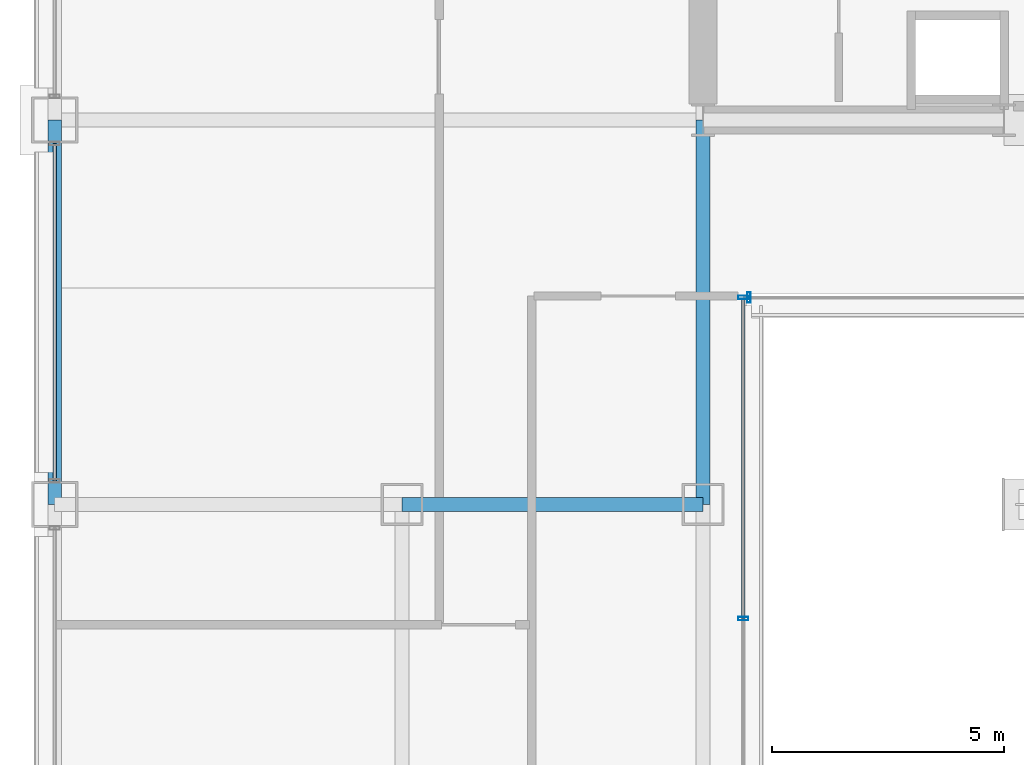
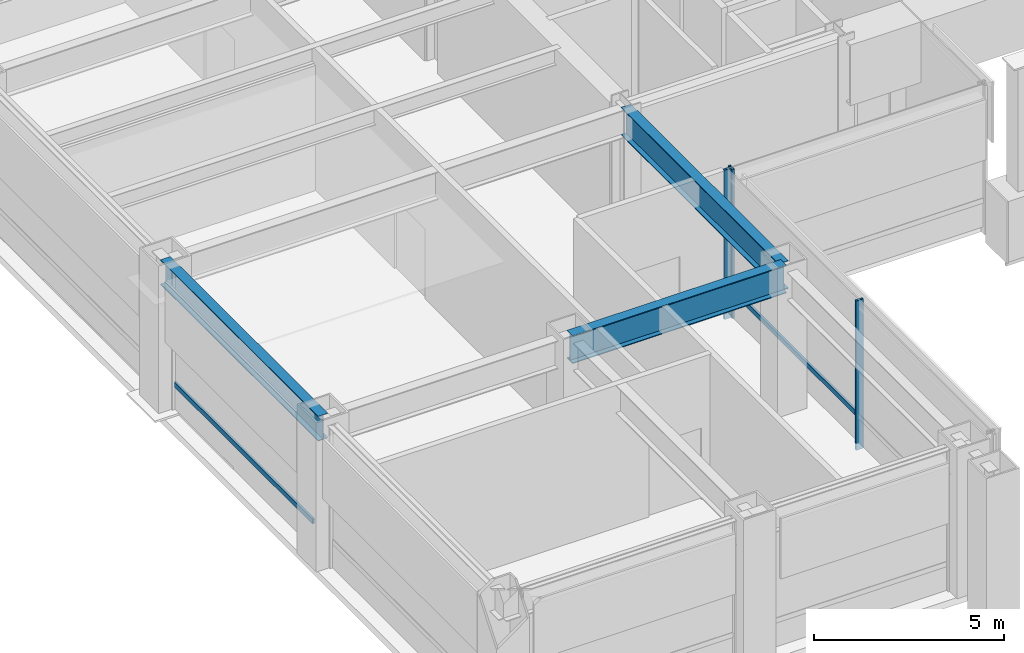
# One storey, part 3 of 42: 5 members, 3 beams, 3 elements without a shape of their own.
"""IFC4 building model written with IfcOpenShell, lengths in metres."""

from ifc_helpers import new_model, si_unit, direction, frame, origin, origin_2d, place, context, subcontext, project, spatial, hollow_rectangle, i_section, extrude, material, layer, layer_set, material_profile, profile_set, type_object, element, aggregate, save


model = new_model("IFC4")

# Units and contexts
model_context = context("Model", 3, precision=1e-05, world=origin(), true_north=direction((0.0, 1.0)))
body_context = subcontext(model_context, "Body", "Model", "MODEL_VIEW")
ifc_project = project(units=[si_unit("LENGTHUNIT", "METRE"), si_unit("AREAUNIT", "SQUARE_METRE"), si_unit("VOLUMEUNIT", "CUBIC_METRE"), si_unit("PLANEANGLEUNIT", "RADIAN"), si_unit("MASSUNIT", "GRAM", prefix="KILO")], contexts=[model_context])

# Site, building, storey
site_placement = place(None, origin())
site = spatial("IfcSite", under=ifc_project, at=site_placement, CompositionType="ELEMENT")
building_placement = place(site_placement, origin())
building = spatial("IfcBuilding", under=site, at=building_placement, Name="Brelmoor Portico Tower", CompositionType="ELEMENT")
storey_placement = place(building_placement, frame((0.0, 0.0, 9.60009765625)))
storey = spatial("IfcBuildingStorey", under=building, at=storey_placement, Name="L02", CompositionType="ELEMENT", Elevation=9.60009765625)

# Beams
ifc_material_1 = material(Name="Steel Q355B", Category="steel")
ifc_material_profile_1 = material_profile(ifc_material_1, i_section(OverallWidth=0.300048828125, OverallDepth=0.89990234375, WebThickness=0.01611328125, FlangeThickness=0.028076171875, at=origin_2d()), Name="HN 900x300x16x28")
ifc_profile_set_1 = profile_set([ifc_material_profile_1], Name="Steel Q355B")
beam_type_1 = type_object("IfcBeamType", Name="BM-PG-900", PredefinedType="BEAM", material=ifc_profile_set_1)
beam_1_placement = place(storey_placement, frame((-14.550048828125, -18.050048828125, 4.1298828125), z_axis=(0.0, 1.0, 0.0), x_axis=(-1.0, 0.0, 0.0)))
element("IfcBeam", 1, at=beam_1_placement, inside=storey, type_object=beam_type_1, Name="L02 Primary Floor Girder PG-05", PredefinedType="BEAM", context=body_context, shape_type="SweptSolid", body=[
    extrude(i_section(OverallWidth=0.300048828125, OverallDepth=0.89990234375, WebThickness=0.01611328125, FlangeThickness=0.028076171875, at=origin_2d()), origin(), (0.0, 0.0, 1.0), 8.300048828125),
])
beam_2_placement = place(storey_placement, frame((-21.050048828125, -18.050048828125, 4.1298828125), z_axis=(1.0, 0.0, 0.0), x_axis=(0.0, 1.0, 0.0)))
element("IfcBeam", 2, at=beam_2_placement, inside=storey, type_object=beam_type_1, Name="L02 Primary Floor Girder PG-22", PredefinedType="BEAM", context=body_context, shape_type="SweptSolid", body=[
    extrude(i_section(OverallWidth=0.300048828125, OverallDepth=0.89990234375, WebThickness=0.01611328125, FlangeThickness=0.028076171875, at=origin_2d()), origin(), (0.0, 0.0, 1.0), 6.5),
])
ifc_material_profile_2 = material_profile(ifc_material_1, i_section(OverallWidth=0.300048828125, OverallDepth=0.800048828125, WebThickness=0.013916015625, FlangeThickness=0.02587890625, at=origin_2d()), Name="HN 800x300x14x26")
ifc_profile_set_2 = profile_set([ifc_material_profile_2], Name="Steel Q355B")
beam_type_2 = type_object("IfcBeamType", Name="BM-SP-800", PredefinedType="SPANDREL", material=ifc_profile_set_2)
beam_3_placement = place(storey_placement, frame((-28.550048828125, -18.050048828125, 4.179931640625), z_axis=(0.0, 1.0, 0.0), x_axis=(-1.0, 0.0, 0.0)))
element("IfcBeam", 3, at=beam_3_placement, inside=storey, type_object=beam_type_2, Name="L02 Perimeter Spandrel Beam SP-10", PredefinedType="SPANDREL", context=body_context, shape_type="SweptSolid", body=[
    extrude(i_section(OverallWidth=0.300048828125, OverallDepth=0.800048828125, WebThickness=0.013916015625, FlangeThickness=0.02587890625, at=origin_2d()), origin(), (0.0, 0.0, 1.0), 8.300048828125),
])

# Curtain wall, members
ifc_material_2 = material(Name="Anodised Aluminium Alloy 6063-T6", Category="aluminium")
ifc_layer = layer(ifc_material_2, 0.179931640625)
ifc_layer_set = layer_set([ifc_layer], Name="Anodised Aluminium Alloy 6063-T6")
curtain_wall_type = type_object("IfcCurtainWallType", Name="CW-PODIUM-ARCH", PredefinedType="NOTDEFINED", material=ifc_layer_set)
curtain_wall_1_placement = place(storey_placement, origin())
curtain_wall_1 = element("IfcCurtainWall", 4, at=curtain_wall_1_placement, inside=storey, type_object=curtain_wall_type, Name="L02 Curtain Wall CW-L02-07", PredefinedType="NOTDEFINED")
ifc_material_profile_3 = material_profile(ifc_material_2, hollow_rectangle(XDim=0.074951171875, YDim=0.219970703125, WallThickness=0.0048828125, at=origin_2d()), Name="ALU MULLION 75x220")
ifc_profile_set_3 = profile_set([ifc_material_profile_3], Name="Anodised Aluminium Alloy 6063-T6")
member_type_1 = type_object("IfcMemberType", Name="MB-CW-MULL-220", PredefinedType="MULLION", material=ifc_profile_set_3)
member_1_placement = place(storey_placement, frame((-13.679931640625, -20.514892578125, -0.22021484375), z_axis=(0.0, 0.0, 1.0), x_axis=(0.0, 1.0, 0.0)))
member_1 = element("IfcMember", 5, at=member_1_placement, type_object=member_type_1, Name="CW-L02-07 Mullion 01", PredefinedType="MULLION", context=body_context, shape_type="SweptSolid", body=[
    extrude(hollow_rectangle(XDim=0.074951171875, YDim=0.219970703125, WallThickness=0.0048828125, at=origin_2d()), origin(), (0.0, 0.0, 1.0), 4.800048828125),
])
member_2_placement = place(storey_placement, frame((-13.679931640625, -13.580078125, -0.22021484375), z_axis=(0.0, 0.0, 1.0), x_axis=(0.0, 1.0, 0.0)))
member_2 = element("IfcMember", 6, at=member_2_placement, type_object=member_type_1, Name="CW-L02-07 Mullion 02", PredefinedType="MULLION", context=body_context, shape_type="SweptSolid", body=[
    extrude(hollow_rectangle(XDim=0.074951171875, YDim=0.219970703125, WallThickness=0.0048828125, at=origin_2d()), origin(), (0.0, 0.0, 1.0), 4.800048828125),
])

# Curtain wall, member
curtain_wall_2_placement = place(storey_placement, origin())
curtain_wall_2 = element("IfcCurtainWall", 7, at=curtain_wall_2_placement, inside=storey, type_object=curtain_wall_type, Name="L02 Curtain Wall CW-L02-11", PredefinedType="NOTDEFINED")
member_3_placement = place(storey_placement, frame((-13.56005859375, -13.580078125, -0.22021484375), z_axis=(0.0, 0.0, 1.0), x_axis=(1.0, 0.0, 0.0)))
member_3 = element("IfcMember", 8, at=member_3_placement, type_object=member_type_1, Name="CW-L02-11 Mullion 00", PredefinedType="MULLION", context=body_context, shape_type="SweptSolid", body=[
    extrude(hollow_rectangle(XDim=0.074951171875, YDim=0.219970703125, WallThickness=0.0048828125, at=origin_2d()), origin(), (0.0, 0.0, 1.0), 4.800048828125),
])
aggregate(curtain_wall_2, [member_3])

curtain_wall_3_placement = place(storey_placement, origin())
curtain_wall_3 = element("IfcCurtainWall", 9, at=curtain_wall_3_placement, inside=storey, type_object=curtain_wall_type, Name="L02 Curtain Wall CW-L02-05-2", PredefinedType="NOTDEFINED")
ifc_material_profile_4 = material_profile(ifc_material_2, hollow_rectangle(XDim=0.070068359375, YDim=0.159912109375, WallThickness=0.00390625, at=origin_2d()), Name="ALU TRANSOM 70x160")
ifc_profile_set_4 = profile_set([ifc_material_profile_4], Name="Anodised Aluminium Alloy 6063-T6")
member_type_2 = type_object("IfcMemberType", Name="MB-CW-TRAN-160", PredefinedType="USERDEFINED", material=ifc_profile_set_4)
member_4_placement = place(storey_placement, frame((-28.550048828125, -17.5400390625, 0.849853515625), z_axis=(0.0, 1.0, 0.0), x_axis=(-1.0, 0.0, 0.0)))
member_4 = element("IfcMember", 10, at=member_4_placement, type_object=member_type_2, Name="CW-L02-05-2 Transom 1-00", ObjectType="TRANSOM", PredefinedType="USERDEFINED", context=body_context, shape_type="SweptSolid", body=[
    extrude(hollow_rectangle(XDim=0.070068359375, YDim=0.159912109375, WallThickness=0.00390625, at=origin_2d()), origin(), (0.0, 0.0, 1.0), 7.280029296875),
])
aggregate(curtain_wall_3, [member_4])

# Member
member_5_placement = place(storey_placement, frame((-13.679931640625, -20.514892578125, 0.849853515625), z_axis=(0.0, 1.0, 0.0), x_axis=(-1.0, 0.0, 0.0)))
member_5 = element("IfcMember", 11, at=member_5_placement, type_object=member_type_2, Name="CW-L02-07 Transom 1-01", ObjectType="TRANSOM", PredefinedType="USERDEFINED", context=body_context, shape_type="SweptSolid", body=[
    extrude(hollow_rectangle(XDim=0.070068359375, YDim=0.159912109375, WallThickness=0.00390625, at=origin_2d()), origin(), (0.0, 0.0, 1.0), 6.934814453125),
])

aggregate(curtain_wall_1, [member_1, member_2, member_5])

save(model, "model.ifc")
